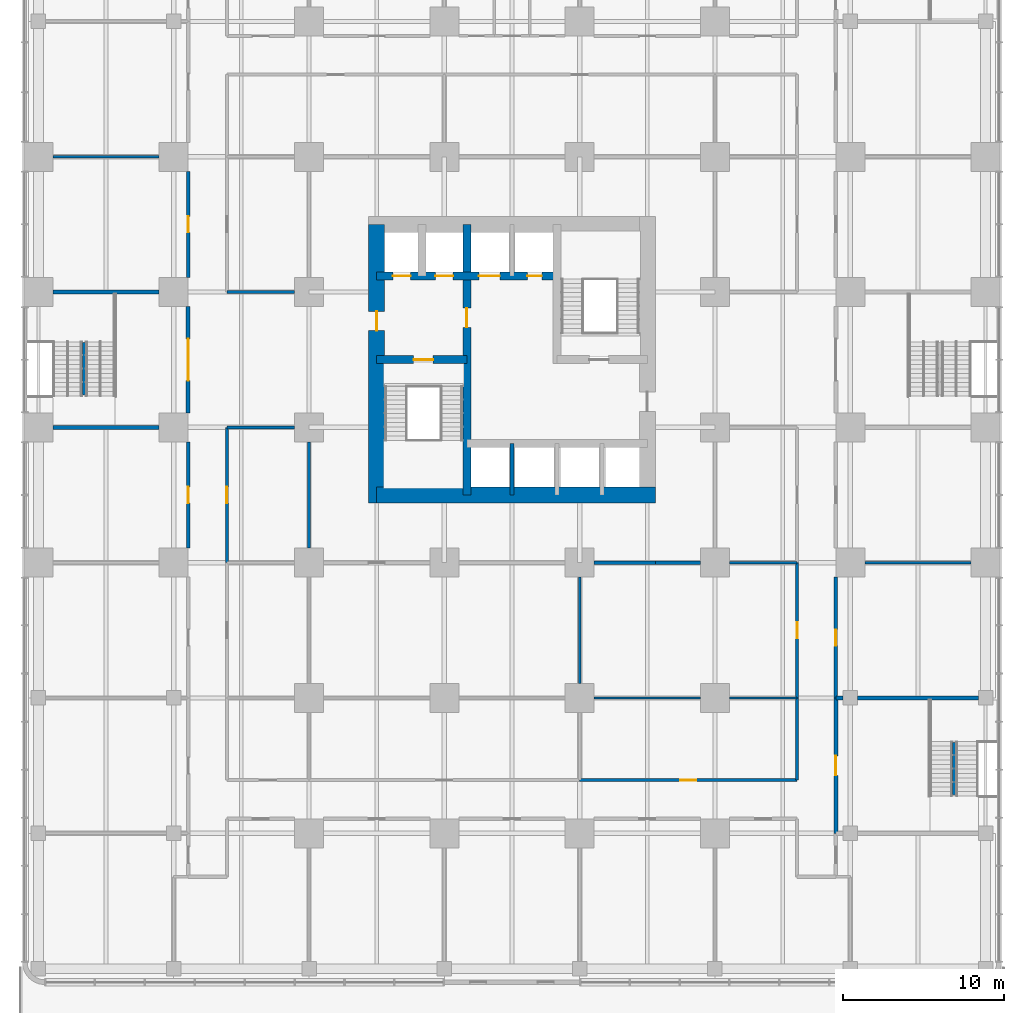
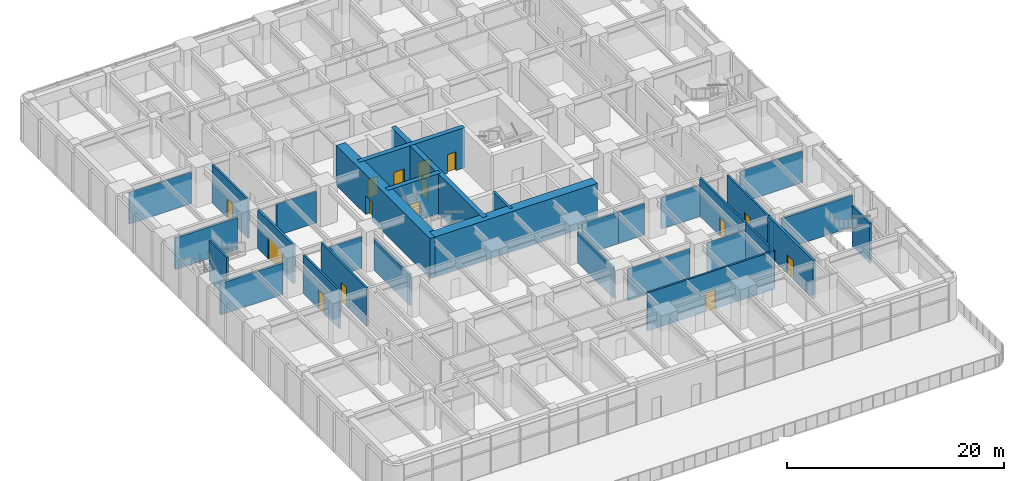
# One storey, part 12 of 20: 32 walls, 15 doors, 15 openings.
"""IFC4 building model written with IfcOpenShell, lengths in metres."""

from ifc_helpers import new_model, si_unit, direction, frame, frame_2d, origin, place, context, subcontext, project, spatial, rectangle, extrude, material, layer, layer_set, type_object, element, fill, save


model = new_model("IFC4")

# Units and contexts
model_context = context("Model", 3, precision=1e-05, world=origin(), true_north=direction((0.0, 1.0)))
body_context = subcontext(model_context, "Body", "Model", "MODEL_VIEW")
ifc_project = project(units=[si_unit("LENGTHUNIT", "METRE"), si_unit("AREAUNIT", "SQUARE_METRE"), si_unit("VOLUMEUNIT", "CUBIC_METRE"), si_unit("PLANEANGLEUNIT", "RADIAN"), si_unit("MASSUNIT", "GRAM", prefix="KILO")], contexts=[model_context])

# Site, building, storey
site_placement = place(None, origin())
site = spatial("IfcSite", under=ifc_project, at=site_placement, CompositionType="ELEMENT")
building_placement = place(site_placement, origin())
building = spatial("IfcBuilding", under=site, at=building_placement, Name="Torre Alcanfor", CompositionType="ELEMENT")
storey_placement = place(building_placement, frame((0.0, 0.0, 10.5)))
storey = spatial("IfcBuildingStorey", under=building, at=storey_placement, Name="L02", CompositionType="ELEMENT", Elevation=10.5)

# Walls
ifc_material_1 = material(Name="Concrete block masonry, hollow blocks NMX-C-404 9 MPa", Category="masonry")
ifc_layer_1 = layer(ifc_material_1, 0.14990234375)
ifc_layer_set_1 = layer_set([ifc_layer_1], Name="Classroom partition 150")
wall_type_1 = type_object("IfcWallType", Name="Classroom partition 150", PredefinedType="PARTITIONING", material=ifc_layer_set_1)
wall_1_placement = place(storey_placement, frame((51.300048828125, 16.800048828125, 0.0), z_axis=(0.0, 0.0, 1.0), x_axis=(1.0, 0.0, 0.0)))
element("IfcWall", 1, at=wall_1_placement, inside=storey, type_object=wall_type_1, Name="Partition L02-11 / L02-13", PredefinedType="PARTITIONING", context=body_context, shape_type="SweptSolid", body=[
    extrude(rectangle(XDim=6.599853515625, YDim=0.14990234375, at=frame_2d((3.2998046875, 0.0))), origin(), (0.0, 0.0, 1.0), 3.543212890625),
])
for number, where, z_axis, x_axis, name in (
    (2, (0.89990234375, 42.0, 0.0), (0.0, 0.0, 1.0), (1.0, 0.0, 0.0), "Partition L02-14 / L02-16"),
    (3, (34.5, 8.39990234375, 0.0), (0.0, 0.0, 1.0), (1.0, 0.0, 0.0), "Partition L02-I03 / L02-I06"),
):
    element("IfcWall", number, at=place(storey_placement, frame(where, z_axis=z_axis, x_axis=x_axis)), inside=storey, type_object=wall_type_1, Name=name, PredefinedType="PARTITIONING", context=body_context, shape_type="SweptSolid", body=[
        extrude(rectangle(XDim=6.60009765625, YDim=0.14990234375, at=frame_2d((3.300048828125, 0.0))), origin(), (0.0, 0.0, 1.0), 3.543212890625),
    ])
wall_2_placement = place(storey_placement, frame((42.89990234375, 8.39990234375, 0.0), z_axis=(0.0, 0.0, 1.0), x_axis=(1.0, 0.0, 0.0)))
element("IfcWall", 4, at=wall_2_placement, inside=storey, type_object=wall_type_1, Name="Partition L02-I03 / L02-I06", PredefinedType="PARTITIONING", context=body_context, shape_type="SweptSolid", body=[
    extrude(rectangle(XDim=4.2001953125, YDim=0.14990234375, at=frame_2d((2.10009765625, 0.0))), origin(), (0.0, 0.0, 1.0), 3.543212890625),
])
wall_3_placement = place(storey_placement, frame((33.60009765625, 15.89990234375, 0.0), z_axis=(0.0, 0.0, 1.0), x_axis=(0.0, -1.0, 0.0)))
element("IfcWall", 5, at=wall_3_placement, inside=storey, type_object=wall_type_1, Name="Partition L02-I05 / L02-I06", PredefinedType="PARTITIONING", context=body_context, shape_type="SweptSolid", body=[
    extrude(rectangle(XDim=6.599853515625, YDim=0.14990234375, at=frame_2d((3.2998046875, 0.0))), origin(), (0.0, 0.0, 1.0), 3.543212890625),
])
wall_4_placement = place(storey_placement, frame((42.89990234375, 16.800048828125, 0.0), z_axis=(0.0, 0.0, 1.0), x_axis=(1.0, 0.0, 0.0)))
element("IfcWall", 6, at=wall_4_placement, inside=storey, type_object=wall_type_1, Name="Partition L02-I06 / L02-I08", PredefinedType="PARTITIONING", context=body_context, shape_type="SweptSolid", body=[
    extrude(rectangle(XDim=4.2001953125, YDim=0.14990234375, at=frame_2d((2.10009765625, 0.0))), origin(), (0.0, 0.0, 1.0), 3.543212890625),
])

# Wall, opening, door
ifc_material_2 = material(Name="Concrete f'c 70 MPa", Category="concrete")
ifc_layer_2 = layer(ifc_material_2, 0.5)
ifc_layer_set_2 = layer_set([ifc_layer_2], Name="Core inner wall 500 f'c70")
wall_type_2 = type_object("IfcWallType", Name="Core inner wall 500 f'c70", PredefinedType="SHEAR", material=ifc_layer_set_2)
wall_5_placement = place(storey_placement, frame((26.60009765625, 21.0, 0.0), z_axis=(0.0, 0.0, 1.0), x_axis=(0.0, 1.0, 0.0)))
wall_5 = element("IfcWall", 7, at=wall_5_placement, inside=storey, type_object=wall_type_2, Name="Core wall X266 L02", PredefinedType="SHEAR", context=body_context, shape_type="SweptSolid", body=[
    extrude(rectangle(XDim=16.800048828125, YDim=0.5, at=frame_2d((8.39990234375, 0.0))), origin(), (0.0, 0.0, 1.0), 4.5),
])
opening_1_placement = place(wall_5_placement, frame((10.39990234375, 0.0, 0.0)))
opening_1 = element("IfcOpeningElement", 8, at=opening_1_placement, cuts=wall_5, Name="Opening D-L1", PredefinedType="OPENING", context=body_context, shape_type="SweptSolid", body=[
    extrude(rectangle(XDim=1.199951171875, YDim=2.10009765625, at=frame_2d((0.60009765625, 1.050048828125))), frame((0.0, 0.260009765625, 0.0), z_axis=(0.0, -1.0, 0.0), x_axis=(1.0, 0.0, 0.0)), (0.0, 0.0, 1.0), 0.52001953125),
])
ifc_material_3 = material(Name="Galvanised steel sheet ASTM A653", Category="steel")
door_type_1 = type_object("IfcDoorType", Name="Lobby door FD120 1200x2100", OperationType="SINGLE_SWING_LEFT", PredefinedType="DOOR", material=ifc_material_3)
door_1_placement = place(opening_1_placement, origin())
door_1 = element("IfcDoor", 9, at=door_1_placement, inside=storey, type_object=door_type_1, Name="Lift lobby door L02", OperationType="SINGLE_SWING_LEFT", OverallHeight=2.10009765625, OverallWidth=1.199951171875, PredefinedType="DOOR", context=body_context, shape_type="SweptSolid", body=[
    extrude(rectangle(XDim=1.199951171875, YDim=2.10009765625, at=frame_2d((0.60009765625, 1.050048828125))), frame((0.0, 0.02490234375, 0.0), z_axis=(0.0, -1.0, 0.0), x_axis=(1.0, 0.0, 0.0)), (0.0, 0.0, 1.0), 0.050048828125),
])
fill(opening_1, door_1)

wall_6_placement = place(storey_placement, frame((21.0, 29.39990234375, 0.0), z_axis=(0.0, 0.0, 1.0), x_axis=(1.0, 0.0, 0.0)))
wall_6 = element("IfcWall", 10, at=wall_6_placement, inside=storey, type_object=wall_type_2, Name="Core wall Y294W L02", PredefinedType="SHEAR", context=body_context, shape_type="SweptSolid", body=[
    extrude(rectangle(XDim=5.60009765625, YDim=0.5, at=frame_2d((2.800048828125, 0.0))), origin(), (0.0, 0.0, 1.0), 4.5),
])
opening_2_placement = place(wall_6_placement, frame((2.300048828125, 0.0, 0.0)))
opening_2 = element("IfcOpeningElement", 11, at=opening_2_placement, cuts=wall_6, Name="Opening D-S2", PredefinedType="OPENING", context=body_context, shape_type="SweptSolid", body=[
    extrude(rectangle(XDim=1.199951171875, YDim=2.10009765625, at=frame_2d((0.60009765625, 1.050048828125))), frame((0.0, 0.260009765625, 0.0), z_axis=(0.0, -1.0, 0.0), x_axis=(1.0, 0.0, 0.0)), (0.0, 0.0, 1.0), 0.52001953125),
])
ifc_material_4 = material(Name="Galvanised steel sheet ASTM A653", Category="steel")
door_type_2 = type_object("IfcDoorType", Name="Stair enclosure door FD120 1200x2100", OperationType="SINGLE_SWING_LEFT", PredefinedType="DOOR", material=ifc_material_4)
door_2_placement = place(opening_2_placement, frame((1.199951171875, 0.0, 0.0), z_axis=(0.0, 0.0, 1.0), x_axis=(-1.0, 0.0, 0.0)))
door_2 = element("IfcDoor", 12, at=door_2_placement, inside=storey, type_object=door_type_2, Name="Stair S1 door L02", OperationType="SINGLE_SWING_LEFT", OverallHeight=2.10009765625, OverallWidth=1.199951171875, PredefinedType="DOOR", context=body_context, shape_type="SweptSolid", body=[
    extrude(rectangle(XDim=1.199951171875, YDim=2.10009765625, at=frame_2d((0.599853515625, 1.050048828125))), frame((0.0, 0.025146484375, 0.0), z_axis=(0.0, -1.0, 0.0), x_axis=(1.0, 0.0, 0.0)), (0.0, 0.0, 1.0), 0.050048828125),
])
fill(opening_2, door_2)

# Wall, openings, doors
wall_7_placement = place(storey_placement, frame((21.0, 34.60009765625, 0.0), z_axis=(0.0, 0.0, 1.0), x_axis=(1.0, 0.0, 0.0)))
wall_7 = element("IfcWall", 13, at=wall_7_placement, inside=storey, type_object=wall_type_2, Name="Core wall Y346 L02", PredefinedType="SHEAR", context=body_context, shape_type="SweptSolid", body=[
    extrude(rectangle(XDim=11.199951171875, YDim=0.5, at=frame_2d((5.60009765625, 0.0))), origin(), (0.0, 0.0, 1.0), 4.5),
])
opening_3_placement = place(wall_7_placement, frame((9.35009765625, 0.0, 0.0)))
opening_3 = element("IfcOpeningElement", 14, at=opening_3_placement, cuts=wall_7, Name="Opening D-Q1", PredefinedType="OPENING", context=body_context, shape_type="SweptSolid", body=[
    extrude(rectangle(XDim=0.89990234375, YDim=2.10009765625, at=frame_2d((0.449951171875, 1.050048828125))), frame((0.0, 0.260009765625, 0.0), z_axis=(0.0, -1.0, 0.0), x_axis=(1.0, 0.0, 0.0)), (0.0, 0.0, 1.0), 0.52001953125),
])
opening_4_placement = place(wall_7_placement, frame((1.0, 0.0, 0.0)))
opening_4 = element("IfcOpeningElement", 15, at=opening_4_placement, cuts=wall_7, Name="Opening LD2", PredefinedType="OPENING", context=body_context, shape_type="SweptSolid", body=[
    extrude(rectangle(XDim=1.10009765625, YDim=2.10009765625, at=frame_2d((0.550048828125, 1.050048828125))), frame((0.0, 0.260009765625, 0.0), z_axis=(0.0, -1.0, 0.0), x_axis=(1.0, 0.0, 0.0)), (0.0, 0.0, 1.0), 0.52001953125),
])
opening_5_placement = place(wall_7_placement, frame((3.64990234375, 0.0, 0.0)))
opening_5 = element("IfcOpeningElement", 16, at=opening_5_placement, cuts=wall_7, Name="Opening LD2", PredefinedType="OPENING", context=body_context, shape_type="SweptSolid", body=[
    extrude(rectangle(XDim=1.10009765625, YDim=2.10009765625, at=frame_2d((0.550048828125, 1.050048828125))), frame((0.0, 0.260009765625, 0.0), z_axis=(0.0, -1.0, 0.0), x_axis=(1.0, 0.0, 0.0)), (0.0, 0.0, 1.0), 0.52001953125),
])
opening_6_placement = place(wall_7_placement, frame((6.35009765625, 0.0, 0.0)))
opening_6 = element("IfcOpeningElement", 17, at=opening_6_placement, cuts=wall_7, Name="Opening LD3", PredefinedType="OPENING", context=body_context, shape_type="SweptSolid", body=[
    extrude(rectangle(XDim=1.300048828125, YDim=2.10009765625, at=frame_2d((0.64990234375, 1.050048828125))), frame((0.0, 0.260009765625, 0.0), z_axis=(0.0, -1.0, 0.0), x_axis=(1.0, 0.0, 0.0)), (0.0, 0.0, 1.0), 0.52001953125),
])
ifc_material_5 = material(Name="Galvanised steel sheet ASTM A653", Category="steel")
door_type_3 = type_object("IfcDoorType", Name="Firefighting lift landing door 1100x2100", OperationType="DOUBLE_DOOR_SLIDING", PredefinedType="DOOR", material=ifc_material_5)
door_3_placement = place(opening_4_placement, origin())
door_3 = element("IfcDoor", 18, at=door_3_placement, inside=storey, type_object=door_type_3, Name="Lift landing door FL1 L02", OperationType="DOUBLE_DOOR_SLIDING", OverallHeight=2.10009765625, OverallWidth=1.10009765625, PredefinedType="DOOR", context=body_context, shape_type="SweptSolid", body=[
    extrude(rectangle(XDim=1.10009765625, YDim=2.10009765625, at=frame_2d((0.550048828125, 1.050048828125))), frame((0.0, 0.02490234375, 0.0), z_axis=(0.0, -1.0, 0.0), x_axis=(1.0, 0.0, 0.0)), (0.0, 0.0, 1.0), 0.050048828125),
])
fill(opening_4, door_3)
door_4_placement = place(opening_5_placement, origin())
door_4 = element("IfcDoor", 19, at=door_4_placement, inside=storey, type_object=door_type_3, Name="Lift landing door FL2 L02", OperationType="DOUBLE_DOOR_SLIDING", OverallHeight=2.10009765625, OverallWidth=1.10009765625, PredefinedType="DOOR", context=body_context, shape_type="SweptSolid", body=[
    extrude(rectangle(XDim=1.10009765625, YDim=2.10009765625, at=frame_2d((0.550048828125, 1.050048828125))), frame((0.0, 0.02490234375, 0.0), z_axis=(0.0, -1.0, 0.0), x_axis=(1.0, 0.0, 0.0)), (0.0, 0.0, 1.0), 0.050048828125),
])
fill(opening_5, door_4)
ifc_material_6 = material(Name="Galvanised steel sheet ASTM A653", Category="steel")
door_type_4 = type_object("IfcDoorType", Name="Riser access door FD120 900x2100", OperationType="SINGLE_SWING_LEFT", PredefinedType="DOOR", material=ifc_material_6)
door_5_placement = place(opening_3_placement, origin())
door_5 = element("IfcDoor", 20, at=door_5_placement, inside=storey, type_object=door_type_4, Name="Riser door L02", OperationType="SINGLE_SWING_LEFT", OverallHeight=2.10009765625, OverallWidth=0.89990234375, PredefinedType="DOOR", context=body_context, shape_type="SweptSolid", body=[
    extrude(rectangle(XDim=0.89990234375, YDim=2.10009765625, at=frame_2d((0.449951171875, 1.050048828125))), frame((0.0, 0.02490234375, 0.0), z_axis=(0.0, -1.0, 0.0), x_axis=(1.0, 0.0, 0.0)), (0.0, 0.0, 1.0), 0.050048828125),
])
fill(opening_3, door_5)
ifc_material_7 = material(Name="Galvanised steel sheet ASTM A653", Category="steel")
door_type_5 = type_object("IfcDoorType", Name="Service lift landing door 1300x2100", OperationType="DOUBLE_DOOR_SLIDING", PredefinedType="DOOR", material=ifc_material_7)
door_6_placement = place(opening_6_placement, origin())
door_6 = element("IfcDoor", 21, at=door_6_placement, inside=storey, type_object=door_type_5, Name="Lift landing door SL1 L02", OperationType="DOUBLE_DOOR_SLIDING", OverallHeight=2.10009765625, OverallWidth=1.300048828125, PredefinedType="DOOR", context=body_context, shape_type="SweptSolid", body=[
    extrude(rectangle(XDim=1.300048828125, YDim=2.10009765625, at=frame_2d((0.64990234375, 1.050048828125))), frame((0.0, 0.02490234375, 0.0), z_axis=(0.0, -1.0, 0.0), x_axis=(1.0, 0.0, 0.0)), (0.0, 0.0, 1.0), 0.050048828125),
])
fill(opening_6, door_6)

# Walls
ifc_material_8 = material(Name="Concrete f'c 70 MPa", Category="concrete")
ifc_layer_3 = layer(ifc_material_8, 0.25)
ifc_layer_set_3 = layer_set([ifc_layer_3], Name="Core shaft wall 250 f'c70")
wall_type_3 = type_object("IfcWallType", Name="Core shaft wall 250 f'c70", PredefinedType="SHEAR", material=ifc_layer_set_3)
wall_8_placement = place(storey_placement, frame((29.39990234375, 21.0, 0.0), z_axis=(0.0, 0.0, 1.0), x_axis=(0.0, 1.0, 0.0)))
element("IfcWall", 22, at=wall_8_placement, inside=storey, type_object=wall_type_3, Name="Core wall X294S L02", PredefinedType="SHEAR", context=body_context, shape_type="SweptSolid", body=[
    extrude(rectangle(XDim=3.199951171875, YDim=0.25, at=frame_2d((1.60009765625, 0.0))), origin(), (0.0, 0.0, 1.0), 4.5),
])
ifc_material_9 = material(Name="Concrete f'c 70 MPa", Category="concrete")
ifc_layer_4 = layer(ifc_material_9, 1.0)
ifc_layer_set_4 = layer_set([ifc_layer_4], Name="Core wall 1000 f'c70")
wall_type_4 = type_object("IfcWallType", Name="Core wall 1000 f'c70", PredefinedType="SHEAR", material=ifc_layer_set_4)
wall_9_placement = place(storey_placement, frame((21.0, 21.0, 0.0), z_axis=(0.0, 0.0, 1.0), x_axis=(1.0, 0.0, 0.0)))
element("IfcWall", 23, at=wall_9_placement, inside=storey, type_object=wall_type_4, Name="Core wall OUT-S L02", PredefinedType="SHEAR", context=body_context, shape_type="SweptSolid", body=[
    extrude(rectangle(XDim=17.300048828125, YDim=1.0, at=frame_2d((8.64990234375, 0.0))), origin(), (0.0, 0.0, 1.0), 4.5),
])

# Wall, opening, door
wall_10_placement = place(storey_placement, frame((21.0, 37.800048828125, 0.0), z_axis=(0.0, 0.0, 1.0), x_axis=(0.0, -1.0, 0.0)))
wall_10 = element("IfcWall", 24, at=wall_10_placement, inside=storey, type_object=wall_type_4, Name="Core wall OUT-W L02", PredefinedType="SHEAR", context=body_context, shape_type="SweptSolid", body=[
    extrude(rectangle(XDim=17.300048828125, YDim=1.0, at=frame_2d((8.64990234375, 0.0))), origin(), (0.0, 0.0, 1.0), 4.5),
])
opening_7_placement = place(wall_10_placement, frame((5.39990234375, 0.0, 0.0)))
opening_7 = element("IfcOpeningElement", 25, at=opening_7_placement, cuts=wall_10, Name="Opening D-L1", PredefinedType="OPENING", context=body_context, shape_type="SweptSolid", body=[
    extrude(rectangle(XDim=1.199951171875, YDim=2.10009765625, at=frame_2d((0.60009765625, 1.050048828125))), frame((0.0, 0.510009765625, 0.0), z_axis=(0.0, -1.0, 0.0), x_axis=(1.0, 0.0, 0.0)), (0.0, 0.0, 1.0), 1.02001953125),
])
door_7_placement = place(opening_7_placement, origin())
door_7 = element("IfcDoor", 26, at=door_7_placement, inside=storey, type_object=door_type_1, Name="Firefighting lobby door L02", OperationType="SINGLE_SWING_LEFT", OverallHeight=2.10009765625, OverallWidth=1.199951171875, PredefinedType="DOOR", context=body_context, shape_type="SweptSolid", body=[
    extrude(rectangle(XDim=1.199951171875, YDim=2.10009765625, at=frame_2d((0.60009765625, 1.050048828125))), frame((0.0, 0.02490234375, 0.0), z_axis=(0.0, -1.0, 0.0), x_axis=(1.0, 0.0, 0.0)), (0.0, 0.0, 1.0), 0.050048828125),
])
fill(opening_7, door_7)

ifc_material_10 = material(Name="Concrete block masonry, hollow blocks NMX-C-404 9 MPa", Category="masonry")
ifc_layer_5 = layer(ifc_material_10, 0.199951171875)
ifc_layer_set_5 = layer_set([ifc_layer_5], Name="School corridor wall 200")
wall_type_5 = type_object("IfcWallType", Name="School corridor wall 200", PredefinedType="PARTITIONING", material=ifc_layer_set_5)
wall_11_placement = place(storey_placement, frame((49.5, 8.39990234375, 0.0), z_axis=(0.0, 0.0, 1.0), x_axis=(0.0, 1.0, 0.0)))
wall_11 = element("IfcWall", 27, at=wall_11_placement, inside=storey, type_object=wall_type_5, Name="Partition L02-11 / L02-CORR", PredefinedType="PARTITIONING", context=body_context, shape_type="SweptSolid", body=[
    extrude(rectangle(XDim=7.5, YDim=0.199951171875, at=frame_2d((3.75, 0.0))), origin(), (0.0, 0.0, 1.0), 4.300048828125),
])
opening_8_placement = place(wall_11_placement, frame((3.25, 0.0, 0.0)))
opening_8 = element("IfcOpeningElement", 28, at=opening_8_placement, cuts=wall_11, Name="Opening D-C1", PredefinedType="OPENING", context=body_context, shape_type="SweptSolid", body=[
    extrude(rectangle(XDim=1.0, YDim=2.10009765625, at=frame_2d((0.5, 1.050048828125))), frame((0.0, 0.10986328125, 0.0), z_axis=(0.0, -1.0, 0.0), x_axis=(1.0, 0.0, 0.0)), (0.0, 0.0, 1.0), 0.219970703125),
])
ifc_material_11 = material(Name="Timber", Category="wood")
door_type_6 = type_object("IfcDoorType", Name="Classroom door 1000x2100", OperationType="SINGLE_SWING_RIGHT", PredefinedType="DOOR", material=ifc_material_11)
door_8_placement = place(opening_8_placement, frame((1.0, 0.0, 0.0), z_axis=(0.0, 0.0, 1.0), x_axis=(-1.0, 0.0, 0.0)))
door_8 = element("IfcDoor", 29, at=door_8_placement, inside=storey, type_object=door_type_6, Name="Door L02-11 classroom", OperationType="SINGLE_SWING_RIGHT", OverallHeight=2.10009765625, OverallWidth=1.0, PredefinedType="DOOR", context=body_context, shape_type="SweptSolid", body=[
    extrude(rectangle(XDim=1.0, YDim=2.10009765625, at=frame_2d((0.5, 1.050048828125))), frame((0.0, 0.025146484375, 0.0), z_axis=(0.0, -1.0, 0.0), x_axis=(1.0, 0.0, 0.0)), (0.0, 0.0, 1.0), 0.050048828125),
])
fill(opening_8, door_8)

wall_12_placement = place(storey_placement, frame((9.300048828125, 24.300048828125, 0.0), z_axis=(0.0, 0.0, 1.0), x_axis=(0.0, -1.0, 0.0)))
wall_12 = element("IfcWall", 30, at=wall_12_placement, inside=storey, type_object=wall_type_5, Name="Partition L02-12 / L02-CORR", PredefinedType="PARTITIONING", context=body_context, shape_type="SweptSolid", body=[
    extrude(rectangle(XDim=6.60009765625, YDim=0.199951171875, at=frame_2d((3.300048828125, 0.0))), origin(), (0.0, 0.0, 1.0), 4.300048828125),
])
opening_9_placement = place(wall_12_placement, frame((2.800048828125, 0.0, 0.0)))
opening_9 = element("IfcOpeningElement", 31, at=opening_9_placement, cuts=wall_12, Name="Opening D-C1", PredefinedType="OPENING", context=body_context, shape_type="SweptSolid", body=[
    extrude(rectangle(XDim=1.0, YDim=2.10009765625, at=frame_2d((0.5, 1.050048828125))), frame((0.0, 0.10986328125, 0.0), z_axis=(0.0, -1.0, 0.0), x_axis=(1.0, 0.0, 0.0)), (0.0, 0.0, 1.0), 0.219970703125),
])
door_9_placement = place(opening_9_placement, frame((1.0, 0.0, 0.0), z_axis=(0.0, 0.0, 1.0), x_axis=(-1.0, 0.0, 0.0)))
door_9 = element("IfcDoor", 32, at=door_9_placement, inside=storey, type_object=door_type_6, Name="Door L02-12 classroom", OperationType="SINGLE_SWING_RIGHT", OverallHeight=2.10009765625, OverallWidth=1.0, PredefinedType="DOOR", context=body_context, shape_type="SweptSolid", body=[
    extrude(rectangle(XDim=1.0, YDim=2.10009765625, at=frame_2d((0.5, 1.050048828125))), frame((0.0, 0.025146484375, 0.0), z_axis=(0.0, -1.0, 0.0), x_axis=(1.0, 0.0, 0.0)), (0.0, 0.0, 1.0), 0.050048828125),
])
fill(opening_9, door_9)

wall_13_placement = place(storey_placement, frame((9.300048828125, 41.10009765625, 0.0), z_axis=(0.0, 0.0, 1.0), x_axis=(0.0, -1.0, 0.0)))
wall_13 = element("IfcWall", 33, at=wall_13_placement, inside=storey, type_object=wall_type_5, Name="Partition L02-14 / L02-CORR", PredefinedType="PARTITIONING", context=body_context, shape_type="SweptSolid", body=[
    extrude(rectangle(XDim=6.60009765625, YDim=0.199951171875, at=frame_2d((3.300048828125, 0.0))), origin(), (0.0, 0.0, 1.0), 4.300048828125),
])
opening_10_placement = place(wall_13_placement, frame((2.800048828125, 0.0, 0.0)))
opening_10 = element("IfcOpeningElement", 34, at=opening_10_placement, cuts=wall_13, Name="Opening D-C1", PredefinedType="OPENING", context=body_context, shape_type="SweptSolid", body=[
    extrude(rectangle(XDim=1.0, YDim=2.10009765625, at=frame_2d((0.5, 1.050048828125))), frame((0.0, 0.10986328125, 0.0), z_axis=(0.0, -1.0, 0.0), x_axis=(1.0, 0.0, 0.0)), (0.0, 0.0, 1.0), 0.219970703125),
])
door_10_placement = place(opening_10_placement, frame((1.0, 0.0, 0.0), z_axis=(0.0, 0.0, 1.0), x_axis=(-1.0, 0.0, 0.0)))
door_10 = element("IfcDoor", 35, at=door_10_placement, inside=storey, type_object=door_type_6, Name="Door L02-14 classroom", OperationType="SINGLE_SWING_RIGHT", OverallHeight=2.10009765625, OverallWidth=1.0, PredefinedType="DOOR", context=body_context, shape_type="SweptSolid", body=[
    extrude(rectangle(XDim=1.0, YDim=2.10009765625, at=frame_2d((0.5, 1.050048828125))), frame((0.0, 0.025146484375, 0.0), z_axis=(0.0, -1.0, 0.0), x_axis=(1.0, 0.0, 0.0)), (0.0, 0.0, 1.0), 0.050048828125),
])
fill(opening_10, door_10)

wall_14_placement = place(storey_placement, frame((33.60009765625, 3.300048828125, 0.0), z_axis=(0.0, 0.0, 1.0), x_axis=(1.0, 0.0, 0.0)))
wall_14 = element("IfcWall", 36, at=wall_14_placement, inside=storey, type_object=wall_type_5, Name="Partition L02-CORR / L02-I03", PredefinedType="PARTITIONING", context=body_context, shape_type="SweptSolid", body=[
    extrude(rectangle(XDim=13.5, YDim=0.199951171875, at=frame_2d((6.75, 0.0))), origin(), (0.0, 0.0, 1.0), 4.300048828125),
])
opening_11_placement = place(wall_14_placement, frame((6.25, 0.0, 0.0)))
opening_11 = element("IfcOpeningElement", 37, at=opening_11_placement, cuts=wall_14, Name="Opening D-C1", PredefinedType="OPENING", context=body_context, shape_type="SweptSolid", body=[
    extrude(rectangle(XDim=1.0, YDim=2.10009765625, at=frame_2d((0.5, 1.050048828125))), frame((0.0, 0.10986328125, 0.0), z_axis=(0.0, -1.0, 0.0), x_axis=(1.0, 0.0, 0.0)), (0.0, 0.0, 1.0), 0.219970703125),
])
door_11_placement = place(opening_11_placement, origin())
door_11 = element("IfcDoor", 38, at=door_11_placement, inside=storey, type_object=door_type_6, Name="Door L02-I03 design and technology room", OperationType="SINGLE_SWING_LEFT", OverallHeight=2.10009765625, OverallWidth=1.0, PredefinedType="DOOR", context=body_context, shape_type="SweptSolid", body=[
    extrude(rectangle(XDim=1.0, YDim=2.10009765625, at=frame_2d((0.5, 1.050048828125))), frame((0.0, 0.02490234375, 0.0), z_axis=(0.0, -1.0, 0.0), x_axis=(1.0, 0.0, 0.0)), (0.0, 0.0, 1.0), 0.050048828125),
])
fill(opening_11, door_11)

# Wall
wall_15_placement = place(storey_placement, frame((47.10009765625, 3.300048828125, 0.0), z_axis=(0.0, 0.0, 1.0), x_axis=(0.0, 1.0, 0.0)))
element("IfcWall", 39, at=wall_15_placement, inside=storey, type_object=wall_type_5, Name="Partition L02-CORR / L02-I03", PredefinedType="PARTITIONING", context=body_context, shape_type="SweptSolid", body=[
    extrude(rectangle(XDim=5.099853515625, YDim=0.199951171875, at=frame_2d((2.5498046875, 0.0))), origin(), (0.0, 0.0, 1.0), 4.300048828125),
])

# Wall, opening, door
wall_16_placement = place(storey_placement, frame((47.10009765625, 8.39990234375, 0.0), z_axis=(0.0, 0.0, 1.0), x_axis=(0.0, 1.0, 0.0)))
wall_16 = element("IfcWall", 40, at=wall_16_placement, inside=storey, type_object=wall_type_5, Name="Partition L02-CORR / L02-I06", PredefinedType="PARTITIONING", context=body_context, shape_type="SweptSolid", body=[
    extrude(rectangle(XDim=8.400146484375, YDim=0.199951171875, at=frame_2d((4.2001953125, 0.0))), origin(), (0.0, 0.0, 1.0), 4.300048828125),
])
opening_12_placement = place(wall_16_placement, frame((3.699951171875, 0.0, 0.0)))
opening_12 = element("IfcOpeningElement", 41, at=opening_12_placement, cuts=wall_16, Name="Opening D-C1", PredefinedType="OPENING", context=body_context, shape_type="SweptSolid", body=[
    extrude(rectangle(XDim=1.0, YDim=2.10009765625, at=frame_2d((0.5, 1.050048828125))), frame((0.0, 0.10986328125, 0.0), z_axis=(0.0, -1.0, 0.0), x_axis=(1.0, 0.0, 0.0)), (0.0, 0.0, 1.0), 0.219970703125),
])
door_12_placement = place(opening_12_placement, origin())
door_12 = element("IfcDoor", 42, at=door_12_placement, inside=storey, type_object=door_type_6, Name="Door L02-I06 science laboratory", OperationType="SINGLE_SWING_LEFT", OverallHeight=2.10009765625, OverallWidth=1.0, PredefinedType="DOOR", context=body_context, shape_type="SweptSolid", body=[
    extrude(rectangle(XDim=1.0, YDim=2.10009765625, at=frame_2d((0.5, 1.050048828125))), frame((0.0, 0.02490234375, 0.0), z_axis=(0.0, -1.0, 0.0), x_axis=(1.0, 0.0, 0.0)), (0.0, 0.0, 1.0), 0.050048828125),
])
fill(opening_12, door_12)

wall_17_placement = place(storey_placement, frame((11.699951171875, 25.199951171875, 0.0), z_axis=(0.0, 0.0, 1.0), x_axis=(0.0, -1.0, 0.0)))
wall_17 = element("IfcWall", 43, at=wall_17_placement, inside=storey, type_object=wall_type_5, Name="Partition L02-CORR / L02-I07", PredefinedType="PARTITIONING", context=body_context, shape_type="SweptSolid", body=[
    extrude(rectangle(XDim=8.39990234375, YDim=0.199951171875, at=frame_2d((4.199951171875, 0.0))), origin(), (0.0, 0.0, 1.0), 4.300048828125),
])
opening_13_placement = place(wall_17_placement, frame((3.699951171875, 0.0, 0.0)))
opening_13 = element("IfcOpeningElement", 44, at=opening_13_placement, cuts=wall_17, Name="Opening D-C1", PredefinedType="OPENING", context=body_context, shape_type="SweptSolid", body=[
    extrude(rectangle(XDim=1.0, YDim=2.10009765625, at=frame_2d((0.5, 1.050048828125))), frame((0.0, 0.10986328125, 0.0), z_axis=(0.0, -1.0, 0.0), x_axis=(1.0, 0.0, 0.0)), (0.0, 0.0, 1.0), 0.219970703125),
])
door_13_placement = place(opening_13_placement, origin())
door_13 = element("IfcDoor", 45, at=door_13_placement, inside=storey, type_object=door_type_6, Name="Door L02-I07 group room", OperationType="SINGLE_SWING_LEFT", OverallHeight=2.10009765625, OverallWidth=1.0, PredefinedType="DOOR", context=body_context, shape_type="SweptSolid", body=[
    extrude(rectangle(XDim=1.0, YDim=2.10009765625, at=frame_2d((0.5, 1.050048828125))), frame((0.0, 0.02490234375, 0.0), z_axis=(0.0, -1.0, 0.0), x_axis=(1.0, 0.0, 0.0)), (0.0, 0.0, 1.0), 0.050048828125),
])
fill(opening_13, door_13)

# Walls
wall_18_placement = place(storey_placement, frame((38.300048828125, 16.800048828125, 0.0), z_axis=(0.0, 0.0, 1.0), x_axis=(-1.0, 0.0, 0.0)))
element("IfcWall", 46, at=wall_18_placement, inside=storey, type_object=wall_type_5, Name="Partition L02-LLW / L02-I06", PredefinedType="PARTITIONING", context=body_context, shape_type="SweptSolid", body=[
    extrude(rectangle(XDim=3.800048828125, YDim=0.199951171875, at=frame_2d((1.89990234375, 0.0))), origin(), (0.0, 0.0, 1.0), 3.543212890625),
])
wall_19_placement = place(storey_placement, frame((15.89990234375, 25.199951171875, 0.0), z_axis=(0.0, 0.0, 1.0), x_axis=(-1.0, 0.0, 0.0)))
element("IfcWall", 47, at=wall_19_placement, inside=storey, type_object=wall_type_5, Name="Partition L02-LLW / L02-I07", PredefinedType="PARTITIONING", context=body_context, shape_type="SweptSolid", body=[
    extrude(rectangle(XDim=4.199951171875, YDim=0.199951171875, at=frame_2d((2.10009765625, 0.0))), origin(), (0.0, 0.0, 1.0), 3.543212890625),
])
wall_20_placement = place(storey_placement, frame((16.800048828125, 17.699951171875, 0.0), z_axis=(0.0, 0.0, 1.0), x_axis=(0.0, 1.0, 0.0)))
element("IfcWall", 48, at=wall_20_placement, inside=storey, type_object=wall_type_5, Name="Partition L02-LLW / L02-I07", PredefinedType="PARTITIONING", context=body_context, shape_type="SweptSolid", body=[
    extrude(rectangle(XDim=6.60009765625, YDim=0.199951171875, at=frame_2d((3.300048828125, 0.0))), origin(), (0.0, 0.0, 1.0), 3.543212890625),
])
wall_21_placement = place(storey_placement, frame((11.699951171875, 33.60009765625, 0.0), z_axis=(0.0, 0.0, 1.0), x_axis=(1.0, 0.0, 0.0)))
element("IfcWall", 49, at=wall_21_placement, inside=storey, type_object=wall_type_5, Name="Partition L02-LLW / L02-I09", PredefinedType="PARTITIONING", context=body_context, shape_type="SweptSolid", body=[
    extrude(rectangle(XDim=4.199951171875, YDim=0.199951171875, at=frame_2d((2.10009765625, 0.0))), origin(), (0.0, 0.0, 1.0), 3.543212890625),
])
wall_22_placement = place(storey_placement, frame((41.10009765625, 16.800048828125, 0.0), z_axis=(0.0, 0.0, 1.0), x_axis=(-1.0, 0.0, 0.0)))
element("IfcWall", 50, at=wall_22_placement, inside=storey, type_object=wall_type_5, Name="Partition L02-LLE / L02-I06", PredefinedType="PARTITIONING", context=body_context, shape_type="SweptSolid", body=[
    extrude(rectangle(XDim=2.800048828125, YDim=0.199951171875, at=frame_2d((1.39990234375, 0.0))), origin(), (0.0, 0.0, 1.0), 3.543212890625),
])
ifc_material_12 = material(Name="Reinforced concrete block masonry, hollow blocks NMX-C-404 9 MPa", Category="masonry")
ifc_layer_6 = layer(ifc_material_12, 0.25)
ifc_layer_set_6 = layer_set([ifc_layer_6], Name="Stair enclosure wall 250 EI 120")
wall_type_6 = type_object("IfcWallType", Name="Stair enclosure wall 250 EI 120", PredefinedType="SOLIDWALL", material=ifc_layer_set_6)
for number, where, z_axis, x_axis, name in (
    (51, (7.5, 25.199951171875, 0.0), (0.0, 0.0, 1.0), (-1.0, 0.0, 0.0), "Partition L02-SS1 / L02-12"),
    (52, (0.89990234375, 33.60009765625, 0.0), (0.0, 0.0, 1.0), (1.0, 0.0, 0.0), "Partition L02-SS1 / L02-14"),
):
    element("IfcWall", number, at=place(storey_placement, frame(where, z_axis=z_axis, x_axis=x_axis)), inside=storey, type_object=wall_type_6, Name=name, PredefinedType="SOLIDWALL", context=body_context, shape_type="SweptSolid", body=[
        extrude(rectangle(XDim=6.60009765625, YDim=0.25, at=frame_2d((3.300048828125, 0.0))), origin(), (0.0, 0.0, 1.0), 3.543212890625),
    ])

# Wall, opening, door
wall_23_placement = place(storey_placement, frame((9.300048828125, 32.699951171875, 0.0), z_axis=(0.0, 0.0, 1.0), x_axis=(0.0, -1.0, 0.0)))
wall_23 = element("IfcWall", 53, at=wall_23_placement, inside=storey, type_object=wall_type_6, Name="Partition L02-SS1 / L02-CORR", PredefinedType="SOLIDWALL", context=body_context, shape_type="SweptSolid", body=[
    extrude(rectangle(XDim=6.599853515625, YDim=0.25, at=frame_2d((3.2998046875, 0.0))), origin(), (0.0, 0.0, 1.0), 4.300048828125),
])
opening_14_placement = place(wall_23_placement, frame((2.0, 0.0, 0.0)))
opening_14 = element("IfcOpeningElement", 54, at=opening_14_placement, cuts=wall_23, Name="Opening D-S4", PredefinedType="OPENING", context=body_context, shape_type="SweptSolid", body=[
    extrude(rectangle(XDim=2.60009765625, YDim=2.39990234375, at=frame_2d((1.300048828125, 1.199951171875))), frame((0.0, 0.135009765625, 0.0), z_axis=(0.0, -1.0, 0.0), x_axis=(1.0, 0.0, 0.0)), (0.0, 0.0, 1.0), 0.27001953125),
])
ifc_material_13 = material(Name="Galvanised steel sheet ASTM A653", Category="steel")
door_type_7 = type_object("IfcDoorType", Name="School stair double door FD120 2600x2400", OperationType="DOUBLE_DOOR_SINGLE_SWING", PredefinedType="DOOR", material=ifc_material_13)
door_14_placement = place(opening_14_placement, frame((2.60009765625, 0.0, 0.0), z_axis=(0.0, 0.0, 1.0), x_axis=(-1.0, 0.0, 0.0)))
door_14 = element("IfcDoor", 55, at=door_14_placement, inside=storey, type_object=door_type_7, Name="Door L02-SS1 school stair ss1", OperationType="DOUBLE_DOOR_SINGLE_SWING", OverallHeight=2.39990234375, OverallWidth=2.60009765625, PredefinedType="DOOR", context=body_context, shape_type="SweptSolid", body=[
    extrude(rectangle(XDim=2.60009765625, YDim=2.39990234375, at=frame_2d((1.300048828125, 1.199951171875))), frame((0.0, 0.025146484375, 0.0), z_axis=(0.0, -1.0, 0.0), x_axis=(1.0, 0.0, 0.0)), (0.0, 0.0, 1.0), 0.050048828125),
])
fill(opening_14, door_14)

# Walls
wall_24_placement = place(storey_placement, frame((49.5, 8.39990234375, 0.0), z_axis=(0.0, 0.0, 1.0), x_axis=(1.0, 0.0, 0.0)))
element("IfcWall", 56, at=wall_24_placement, inside=storey, type_object=wall_type_6, Name="Partition L02-SS3 / L02-11", PredefinedType="SOLIDWALL", context=body_context, shape_type="SweptSolid", body=[
    extrude(rectangle(XDim=0.449951171875, YDim=0.25, at=frame_2d((0.22509765625, 0.0))), origin(), (0.0, 0.0, 1.0), 3.543212890625),
])
wall_25_placement = place(storey_placement, frame((50.85009765625, 8.39990234375, 0.0), z_axis=(0.0, 0.0, 1.0), x_axis=(1.0, 0.0, 0.0)))
element("IfcWall", 57, at=wall_25_placement, inside=storey, type_object=wall_type_6, Name="Partition L02-SS3 / L02-11", PredefinedType="SOLIDWALL", context=body_context, shape_type="SweptSolid", body=[
    extrude(rectangle(XDim=7.5, YDim=0.25, at=frame_2d((3.75, 0.0))), origin(), (0.0, 0.0, 1.0), 3.543212890625),
])

# Wall, opening, door
wall_26_placement = place(storey_placement, frame((49.5, 0.0, 0.0), z_axis=(0.0, 0.0, 1.0), x_axis=(0.0, 1.0, 0.0)))
wall_26 = element("IfcWall", 58, at=wall_26_placement, inside=storey, type_object=wall_type_6, Name="Partition L02-SS3 / L02-CORR", PredefinedType="SOLIDWALL", context=body_context, shape_type="SweptSolid", body=[
    extrude(rectangle(XDim=8.39990234375, YDim=0.25, at=frame_2d((4.199951171875, 0.0))), origin(), (0.0, 0.0, 1.0), 4.300048828125),
])
opening_15_placement = place(wall_26_placement, frame((3.60009765625, 0.0, 0.0)))
opening_15 = element("IfcOpeningElement", 59, at=opening_15_placement, cuts=wall_26, Name="Opening D-L1", PredefinedType="OPENING", context=body_context, shape_type="SweptSolid", body=[
    extrude(rectangle(XDim=1.199951171875, YDim=2.10009765625, at=frame_2d((0.60009765625, 1.050048828125))), frame((0.0, 0.135009765625, 0.0), z_axis=(0.0, -1.0, 0.0), x_axis=(1.0, 0.0, 0.0)), (0.0, 0.0, 1.0), 0.27001953125),
])
door_15_placement = place(opening_15_placement, frame((1.199951171875, 0.0, 0.0), z_axis=(0.0, 0.0, 1.0), x_axis=(-1.0, 0.0, 0.0)))
door_15 = element("IfcDoor", 60, at=door_15_placement, inside=storey, type_object=door_type_1, Name="Door L02-SS3 school stair ss3", OperationType="SINGLE_SWING_RIGHT", OverallHeight=2.10009765625, OverallWidth=1.199951171875, PredefinedType="DOOR", context=body_context, shape_type="SweptSolid", body=[
    extrude(rectangle(XDim=1.199951171875, YDim=2.10009765625, at=frame_2d((0.599853515625, 1.050048828125))), frame((0.0, 0.025146484375, 0.0), z_axis=(0.0, -1.0, 0.0), x_axis=(1.0, 0.0, 0.0)), (0.0, 0.0, 1.0), 0.050048828125),
])
fill(opening_15, door_15)

# Walls
ifc_material_14 = material(Name="Concrete f'c 35 MPa", Category="concrete")
ifc_layer_7 = layer(ifc_material_14, 0.199951171875)
ifc_layer_set_7 = layer_set([ifc_layer_7], Name="Stair spine wall 200")
wall_type_7 = type_object("IfcWallType", Name="Stair spine wall 200", PredefinedType="SOLIDWALL", material=ifc_layer_set_7)
for number, where, z_axis, x_axis, name in (
    (61, (2.830078125, 27.205078125, 0.0), (0.0, 0.0, 1.0), (0.0, 1.0, 0.0), "Stair spine wall SS1 L02"),
    (62, (56.85009765625, 2.375, 0.0), (0.0, 0.0, 1.0), (0.0, 1.0, 0.0), "Stair spine wall SS3 L02"),
):
    element("IfcWall", number, at=place(storey_placement, frame(where, z_axis=z_axis, x_axis=x_axis)), inside=storey, type_object=wall_type_7, Name=name, PredefinedType="SOLIDWALL", context=body_context, shape_type="SweptSolid", body=[
        extrude(rectangle(XDim=3.260009765625, YDim=0.199951171875, at=frame_2d((1.6298828125, 0.0))), origin(), (0.0, 0.0, 1.0), 4.5),
    ])

save(model, "model.ifc")
